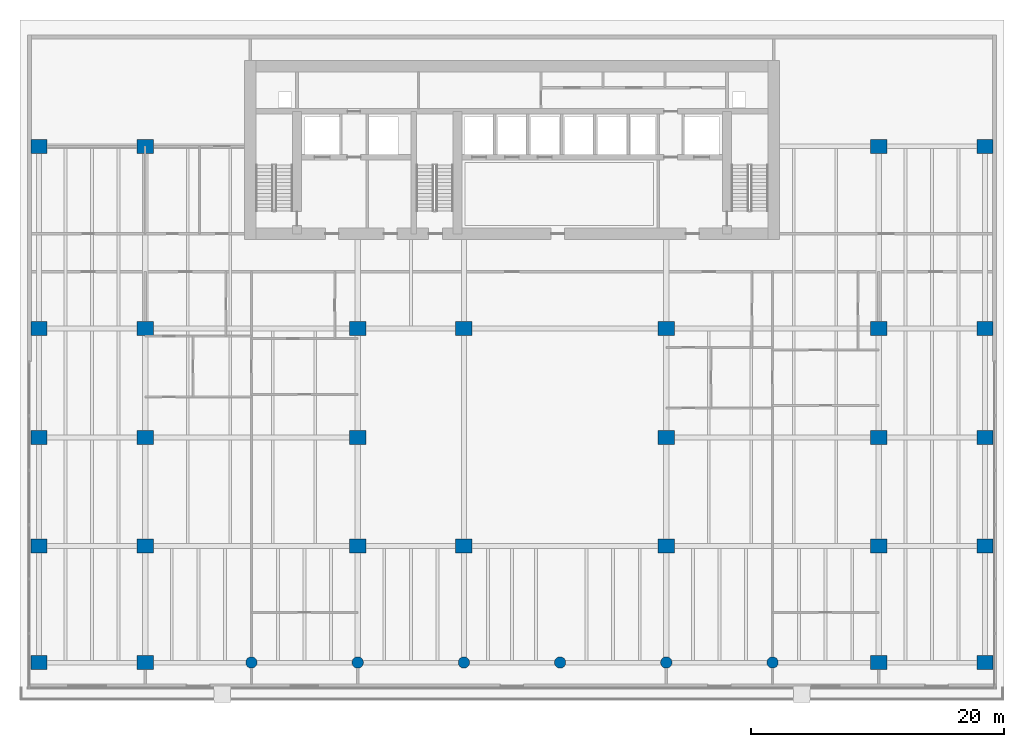
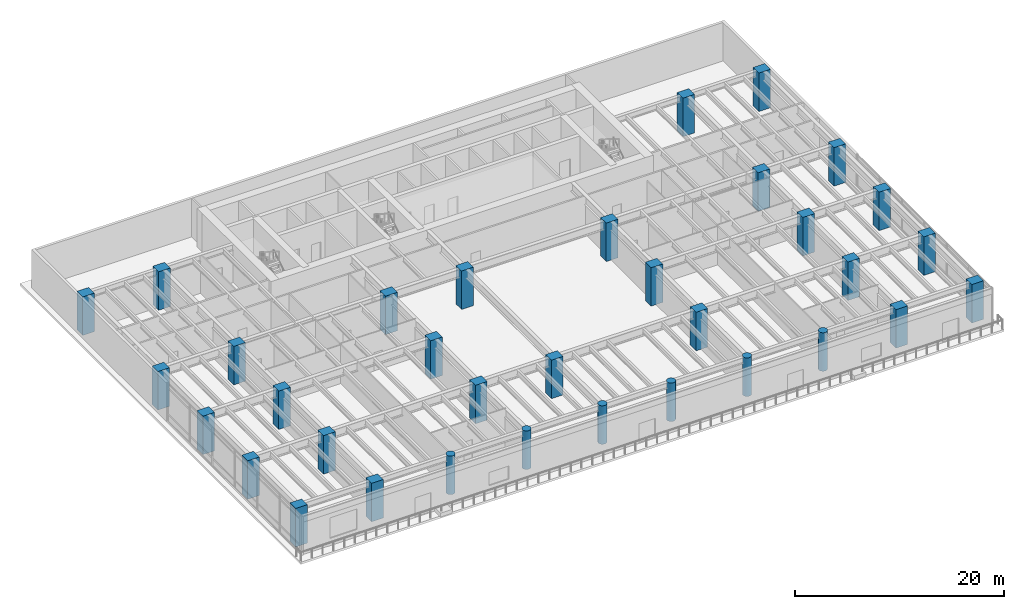
# One storey, part 1 of 17: 34 columns.
"""IFC4 building model written with IfcOpenShell, lengths in metres."""

from ifc_helpers import new_model, si_unit, direction, frame, origin, origin_2d, place, context, subcontext, project, spatial, rectangle, circle, extrude, material, material_profile, profile_set, type_object, element, save


model = new_model("IFC4")

# Units and contexts
model_context = context("Model", 3, precision=1e-05, world=origin(), true_north=direction((0.0, 1.0)))
body_context = subcontext(model_context, "Body", "Model", "MODEL_VIEW")
ifc_project = project(units=[si_unit("LENGTHUNIT", "METRE"), si_unit("AREAUNIT", "SQUARE_METRE"), si_unit("VOLUMEUNIT", "CUBIC_METRE"), si_unit("PLANEANGLEUNIT", "RADIAN"), si_unit("MASSUNIT", "GRAM", prefix="KILO")], contexts=[model_context])

# Site, building, storey
site_placement = place(None, origin())
site = spatial("IfcSite", under=ifc_project, at=site_placement, CompositionType="ELEMENT")
building_placement = place(site_placement, origin())
building = spatial("IfcBuilding", under=site, at=building_placement, Name="Caelmar Bay Residences", CompositionType="ELEMENT")
storey_placement = place(building_placement, frame((0.0, 0.0, 10.199951171875)))
storey = spatial("IfcBuildingStorey", under=building, at=storey_placement, Name="L02", CompositionType="ELEMENT", Elevation=10.199951171875)

# Columns
ifc_material = material(Name="Concrete f'c 70 MPa (10,000 psi)", Category="concrete")
ifc_material_profile_1 = material_profile(ifc_material, rectangle(XDim=1.300048828125, YDim=1.10009765625, at=origin_2d()), Name="RC-COL-1300X1100")
ifc_profile_set_1 = profile_set([ifc_material_profile_1], Name="Concrete f'c 70 MPa (10,000 psi)")
column_type_1 = type_object("IfcColumnType", Name="COL-RC-1300X1100", PredefinedType="COLUMN", material=ifc_profile_set_1)
for number, where, z_axis, x_axis, name in (
    (1, (1.5, 3.0, 0.0), (0.0, 0.0, 1.0), (1.0, 0.0, 0.0), "L02 Column (1.50,3.00)"),
    (2, (9.89990234375, 3.0, 0.0), (0.0, 0.0, 1.0), (1.0, 0.0, 0.0), "L02 Column (9.90,3.00)"),
    (3, (67.89990234375, 3.0, 0.0), (0.0, 0.0, 1.0), (1.0, 0.0, 0.0), "L02 Column (67.90,3.00)"),
    (4, (76.300048828125, 3.0, 0.0), (0.0, 0.0, 1.0), (1.0, 0.0, 0.0), "L02 Column (76.30,3.00)"),
    (5, (1.5, 12.199951171875, 0.0), (0.0, 0.0, 1.0), (1.0, 0.0, 0.0), "L02 Column (1.50,12.20)"),
    (6, (9.89990234375, 12.199951171875, 0.0), (0.0, 0.0, 1.0), (1.0, 0.0, 0.0), "L02 Column (9.90,12.20)"),
    (7, (26.699951171875, 12.199951171875, 0.0), (0.0, 0.0, 1.0), (1.0, 0.0, 0.0), "L02 Column (26.70,12.20)"),
    (8, (35.10009765625, 12.199951171875, 0.0), (0.0, 0.0, 1.0), (1.0, 0.0, 0.0), "L02 Column (35.10,12.20)"),
    (9, (51.10009765625, 12.199951171875, 0.0), (0.0, 0.0, 1.0), (1.0, 0.0, 0.0), "L02 Column (51.10,12.20)"),
    (10, (67.89990234375, 12.199951171875, 0.0), (0.0, 0.0, 1.0), (1.0, 0.0, 0.0), "L02 Column (67.90,12.20)"),
    (11, (76.300048828125, 12.199951171875, 0.0), (0.0, 0.0, 1.0), (1.0, 0.0, 0.0), "L02 Column (76.30,12.20)"),
    (12, (1.5, 20.800048828125, 0.0), (0.0, 0.0, 1.0), (1.0, 0.0, 0.0), "L02 Column (1.50,20.80)"),
    (13, (9.89990234375, 20.800048828125, 0.0), (0.0, 0.0, 1.0), (1.0, 0.0, 0.0), "L02 Column (9.90,20.80)"),
    (14, (26.699951171875, 20.800048828125, 0.0), (0.0, 0.0, 1.0), (1.0, 0.0, 0.0), "L02 Column (26.70,20.80)"),
    (15, (51.10009765625, 20.800048828125, 0.0), (0.0, 0.0, 1.0), (1.0, 0.0, 0.0), "L02 Column (51.10,20.80)"),
    (16, (67.89990234375, 20.800048828125, 0.0), (0.0, 0.0, 1.0), (1.0, 0.0, 0.0), "L02 Column (67.90,20.80)"),
    (17, (76.300048828125, 20.800048828125, 0.0), (0.0, 0.0, 1.0), (1.0, 0.0, 0.0), "L02 Column (76.30,20.80)"),
    (18, (1.5, 29.39990234375, 0.0), (0.0, 0.0, 1.0), (1.0, 0.0, 0.0), "L02 Column (1.50,29.40)"),
    (19, (9.89990234375, 29.39990234375, 0.0), (0.0, 0.0, 1.0), (1.0, 0.0, 0.0), "L02 Column (9.90,29.40)"),
    (20, (26.699951171875, 29.39990234375, 0.0), (0.0, 0.0, 1.0), (1.0, 0.0, 0.0), "L02 Column (26.70,29.40)"),
    (21, (35.10009765625, 29.39990234375, 0.0), (0.0, 0.0, 1.0), (1.0, 0.0, 0.0), "L02 Column (35.10,29.40)"),
    (22, (51.10009765625, 29.39990234375, 0.0), (0.0, 0.0, 1.0), (1.0, 0.0, 0.0), "L02 Column (51.10,29.40)"),
    (23, (67.89990234375, 29.39990234375, 0.0), (0.0, 0.0, 1.0), (1.0, 0.0, 0.0), "L02 Column (67.90,29.40)"),
    (24, (76.300048828125, 29.39990234375, 0.0), (0.0, 0.0, 1.0), (1.0, 0.0, 0.0), "L02 Column (76.30,29.40)"),
    (25, (1.5, 43.800048828125, 0.0), (0.0, 0.0, 1.0), (1.0, 0.0, 0.0), "L02 Column (1.50,43.80)"),
    (26, (9.89990234375, 43.800048828125, 0.0), (0.0, 0.0, 1.0), (1.0, 0.0, 0.0), "L02 Column (9.90,43.80)"),
    (27, (67.89990234375, 43.800048828125, 0.0), (0.0, 0.0, 1.0), (1.0, 0.0, 0.0), "L02 Column (67.90,43.80)"),
    (28, (76.300048828125, 43.800048828125, 0.0), (0.0, 0.0, 1.0), (1.0, 0.0, 0.0), "L02 Column (76.30,43.80)"),
):
    element("IfcColumn", number, at=place(storey_placement, frame(where, z_axis=z_axis, x_axis=x_axis)), inside=storey, type_object=column_type_1, Name=name, PredefinedType="COLUMN", context=body_context, shape_type="SweptSolid", body=[
        extrude(rectangle(XDim=1.300048828125, YDim=1.10009765625, at=origin_2d()), origin(), (0.0, 0.0, 1.0), 4.5),
    ])
ifc_material_profile_2 = material_profile(ifc_material, circle(Radius=0.449951171875, at=origin_2d()), Name="RC-COL-900D")
ifc_profile_set_2 = profile_set([ifc_material_profile_2], Name="Concrete f'c 70 MPa (10,000 psi)")
column_type_2 = type_object("IfcColumnType", Name="COL-RC-900D", PredefinedType="COLUMN", material=ifc_profile_set_2)
for number, where, z_axis, x_axis, name in (
    (29, (18.300048828125, 3.0, 0.0), (0.0, 0.0, 1.0), (1.0, 0.0, 0.0), "L02 Column (18.30,3.00)"),
    (30, (26.699951171875, 3.0, 0.0), (0.0, 0.0, 1.0), (1.0, 0.0, 0.0), "L02 Column (26.70,3.00)"),
    (31, (35.10009765625, 3.0, 0.0), (0.0, 0.0, 1.0), (1.0, 0.0, 0.0), "L02 Column (35.10,3.00)"),
    (32, (42.699951171875, 3.0, 0.0), (0.0, 0.0, 1.0), (1.0, 0.0, 0.0), "L02 Column (42.70,3.00)"),
    (33, (51.10009765625, 3.0, 0.0), (0.0, 0.0, 1.0), (1.0, 0.0, 0.0), "L02 Column (51.10,3.00)"),
    (34, (59.5, 3.0, 0.0), (0.0, 0.0, 1.0), (1.0, 0.0, 0.0), "L02 Column (59.50,3.00)"),
):
    element("IfcColumn", number, at=place(storey_placement, frame(where, z_axis=z_axis, x_axis=x_axis)), inside=storey, type_object=column_type_2, Name=name, PredefinedType="COLUMN", context=body_context, shape_type="SweptSolid", body=[
        extrude(circle(Radius=0.449951171875, at=origin_2d()), origin(), (0.0, 0.0, 1.0), 4.5),
    ])

save(model, "model.ifc")
